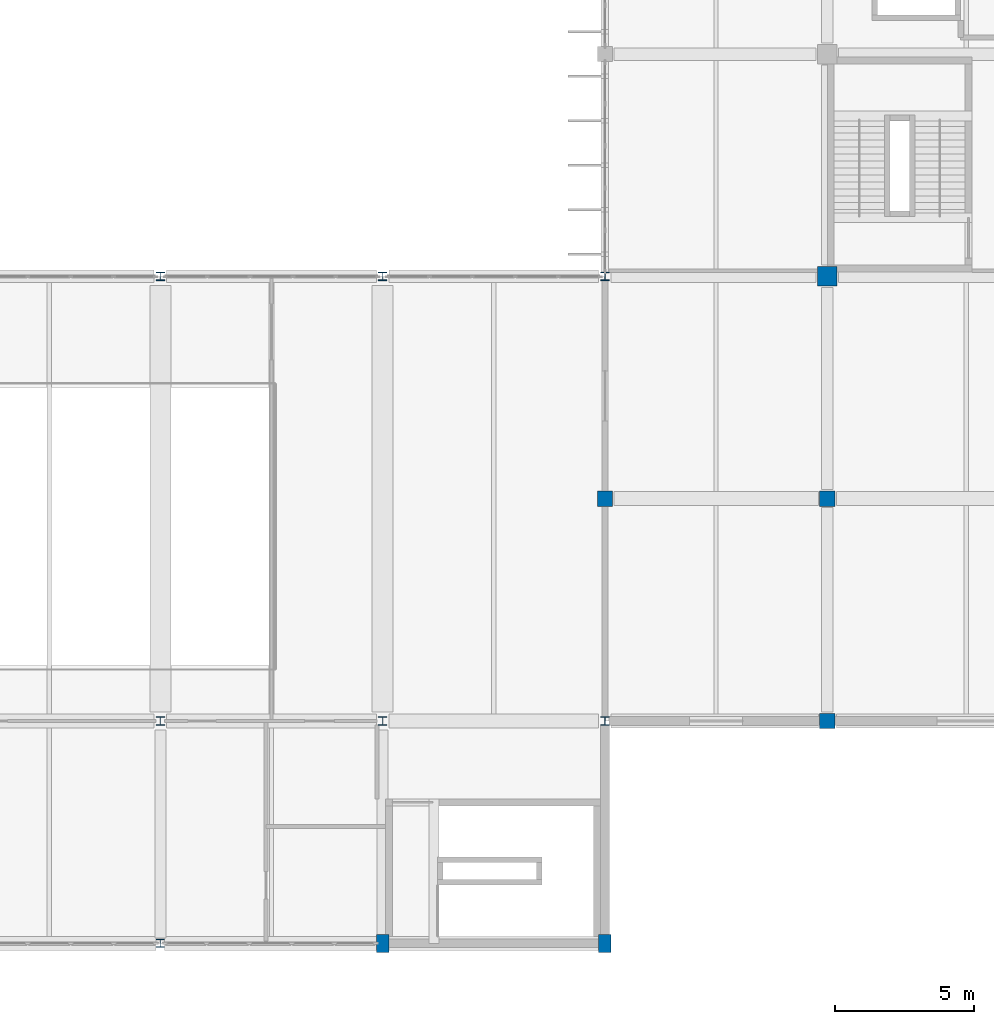
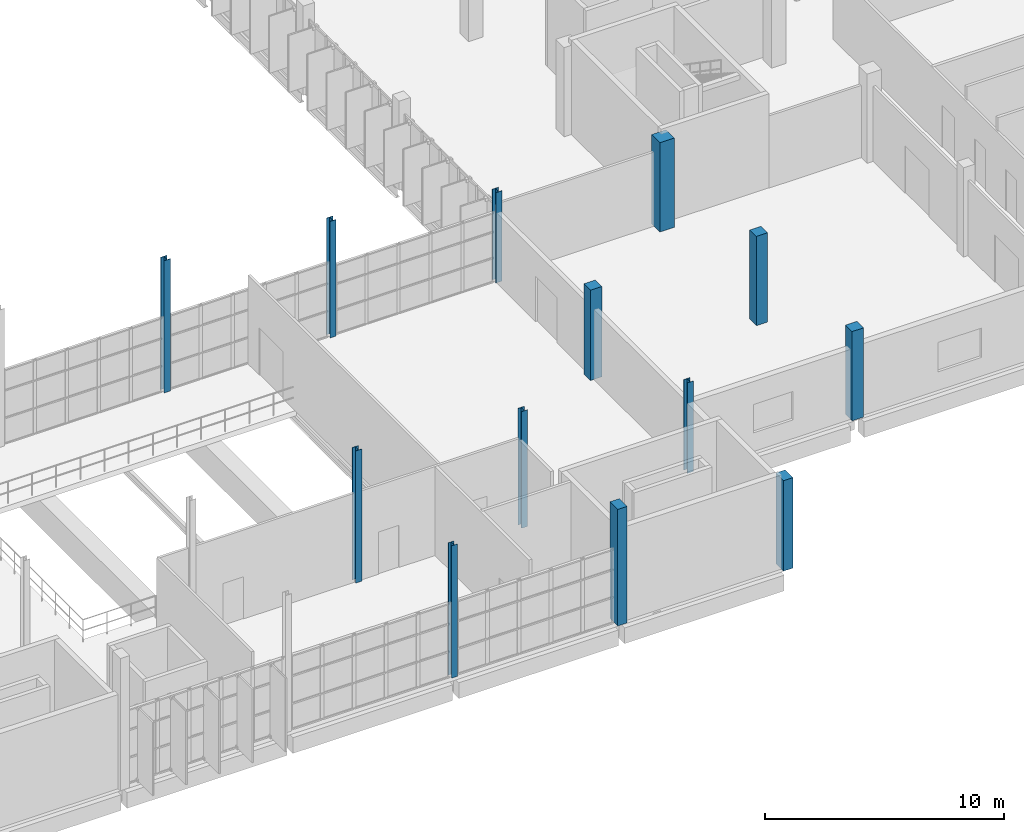
# One storey, part 9 of 93: 13 columns.
"""IFC4 building model written with IfcOpenShell, lengths in metres."""

from ifc_helpers import new_model, si_unit, direction, frame, origin, origin_2d, place, context, subcontext, project, spatial, rectangle, i_section, extrude, material, material_profile, profile_set, type_object, element, save


model = new_model("IFC4")

# Units and contexts
model_context = context("Model", 3, precision=1e-05, world=origin(), true_north=direction((0.0, 1.0)))
body_context = subcontext(model_context, "Body", "Model", "MODEL_VIEW")
ifc_project = project(units=[si_unit("LENGTHUNIT", "METRE"), si_unit("AREAUNIT", "SQUARE_METRE"), si_unit("VOLUMEUNIT", "CUBIC_METRE"), si_unit("PLANEANGLEUNIT", "RADIAN"), si_unit("MASSUNIT", "GRAM", prefix="KILO")], contexts=[model_context])

# Site, building, storey
site_placement = place(None, origin())
site = spatial("IfcSite", under=ifc_project, at=site_placement, CompositionType="ELEMENT")
building_placement = place(site_placement, origin())
building = spatial("IfcBuilding", under=site, at=building_placement, Name="Drelvana Railside Aquatics Centre", CompositionType="ELEMENT")
storey_placement = place(building_placement, frame((0.0, 0.0, 5.39990234375)))
storey = spatial("IfcBuildingStorey", under=building, at=storey_placement, Name="L01", CompositionType="ELEMENT", Elevation=5.39990234375)

# Columns
ifc_material_1 = material(Name="Concrete C40/50", Category="concrete")
ifc_material_profile_1 = material_profile(ifc_material_1, rectangle(XDim=0.449951171875, YDim=0.64990234375, at=origin_2d()), Name="RC 450x650")
ifc_profile_set_1 = profile_set([ifc_material_profile_1], Name="Concrete C40/50")
column_type_1 = type_object("IfcColumnType", Name="STR-COL-RC-450x650", PredefinedType="COLUMN", material=ifc_profile_set_1)
column_1_placement = place(storey_placement, frame((136.0, 0.0, 0.0), z_axis=(0.0, 0.0, 1.0), x_axis=(1.0, 0.0, 0.0)))
element("IfcColumn", 1, at=column_1_placement, inside=storey, type_object=column_type_1, Name="Column C-11 (L01)", PredefinedType="COLUMN", context=body_context, shape_type="SweptSolid", body=[
    extrude(rectangle(XDim=0.449951171875, YDim=0.64990234375, at=origin_2d()), origin(), (0.0, 0.0, 1.0), 5.943359375),
])
column_2_placement = place(storey_placement, frame((144.0, 0.0, 0.0), z_axis=(0.0, 0.0, 1.0), x_axis=(1.0, 0.0, 0.0)))
element("IfcColumn", 2, at=column_2_placement, inside=storey, type_object=column_type_1, Name="Column C-11 (L01)", PredefinedType="COLUMN", context=body_context, shape_type="SweptSolid", body=[
    extrude(rectangle(XDim=0.449951171875, YDim=0.64990234375, at=origin_2d()), origin(), (0.0, 0.0, 1.0), 4.610107421875),
])
ifc_material_profile_2 = material_profile(ifc_material_1, rectangle(XDim=0.550048828125, YDim=0.550048828125, at=origin_2d()), Name="RC 550x550")
ifc_profile_set_2 = profile_set([ifc_material_profile_2], Name="Concrete C40/50")
column_type_2 = type_object("IfcColumnType", Name="STR-COL-RC-550x550", PredefinedType="COLUMN", material=ifc_profile_set_2)
column_3_placement = place(storey_placement, frame((144.0, 16.0, 0.0), z_axis=(0.0, 0.0, 1.0), x_axis=(1.0, 0.0, 0.0)))
element("IfcColumn", 3, at=column_3_placement, inside=storey, type_object=column_type_2, Name="Column C-03 (L01)", PredefinedType="COLUMN", context=body_context, shape_type="SweptSolid", body=[
    extrude(rectangle(XDim=0.550048828125, YDim=0.550048828125, at=origin_2d()), origin(), (0.0, 0.0, 1.0), 4.610107421875),
])
for number, where, z_axis, x_axis, name in (
    (4, (152.0, 8.0, 0.0), (0.0, 0.0, 1.0), (1.0, 0.0, 0.0), "Column C-03 (L01)"),
    (5, (152.0, 16.0, 0.0), (0.0, 0.0, 1.0), (1.0, 0.0, 0.0), "Column C-03 (L01)"),
):
    element("IfcColumn", number, at=place(storey_placement, frame(where, z_axis=z_axis, x_axis=x_axis)), inside=storey, type_object=column_type_2, Name=name, PredefinedType="COLUMN", context=body_context, shape_type="SweptSolid", body=[
        extrude(rectangle(XDim=0.550048828125, YDim=0.550048828125, at=origin_2d()), origin(), (0.0, 0.0, 1.0), 4.550048828125),
    ])
ifc_material_profile_3 = material_profile(ifc_material_1, rectangle(XDim=0.699951171875, YDim=0.699951171875, at=origin_2d()), Name="RC 700x700")
ifc_profile_set_3 = profile_set([ifc_material_profile_3], Name="Concrete C40/50")
column_type_3 = type_object("IfcColumnType", Name="STR-COL-RC-700x700", PredefinedType="COLUMN", material=ifc_profile_set_3)
column_4_placement = place(storey_placement, frame((152.0, 24.0, 0.0), z_axis=(0.0, 0.0, 1.0), x_axis=(1.0, 0.0, 0.0)))
element("IfcColumn", 6, at=column_4_placement, inside=storey, type_object=column_type_3, Name="Column C-06 (L01)", PredefinedType="COLUMN", context=body_context, shape_type="SweptSolid", body=[
    extrude(rectangle(XDim=0.699951171875, YDim=0.699951171875, at=origin_2d()), origin(), (0.0, 0.0, 1.0), 4.550048828125),
])
ifc_material_2 = material(Name="Structural steel S355", Category="steel")
ifc_material_profile_4 = material_profile(ifc_material_2, i_section(OverallWidth=0.280029296875, OverallDepth=0.280029296875, WebThickness=0.010498046875, FlangeThickness=0.01806640625, at=origin_2d()), Name="HEB 280")
ifc_profile_set_4 = profile_set([ifc_material_profile_4], Name="Structural steel S355")
column_type_4 = type_object("IfcColumnType", Name="STR-SCOL-HEB-280", PredefinedType="COLUMN", material=ifc_profile_set_4)
column_5_placement = place(storey_placement, frame((128.0, 0.0, 0.0), z_axis=(0.0, 0.0, 1.0), x_axis=(1.0, 0.0, 0.0)))
element("IfcColumn", 7, at=column_5_placement, inside=storey, type_object=column_type_4, Name="Column SC-01 (L01)", PredefinedType="COLUMN", context=body_context, shape_type="SweptSolid", body=[
    extrude(i_section(OverallWidth=0.280029296875, OverallDepth=0.280029296875, WebThickness=0.010498046875, FlangeThickness=0.01806640625, at=origin_2d()), origin(), (0.0, 0.0, 1.0), 6.743408203125),
])
ifc_material_profile_5 = material_profile(ifc_material_2, i_section(OverallWidth=0.300048828125, OverallDepth=0.300048828125, WebThickness=0.010986328125, FlangeThickness=0.01904296875, at=origin_2d()), Name="HEB 300")
ifc_profile_set_5 = profile_set([ifc_material_profile_5], Name="Structural steel S355")
column_type_5 = type_object("IfcColumnType", Name="STR-SCOL-HEB-300", PredefinedType="COLUMN", material=ifc_profile_set_5)
for number, where, z_axis, x_axis, name in (
    (8, (128.0, 8.0, 0.0), (0.0, 0.0, 1.0), (1.0, 0.0, 0.0), "Column SC-02 (L01)"),
    (9, (128.0, 24.0, 0.0), (0.0, 0.0, 1.0), (1.0, 0.0, 0.0), "Column SC-02 (L01)"),
):
    element("IfcColumn", number, at=place(storey_placement, frame(where, z_axis=z_axis, x_axis=x_axis)), inside=storey, type_object=column_type_5, Name=name, PredefinedType="COLUMN", context=body_context, shape_type="SweptSolid", body=[
        extrude(i_section(OverallWidth=0.300048828125, OverallDepth=0.300048828125, WebThickness=0.010986328125, FlangeThickness=0.01904296875, at=origin_2d()), origin(), (0.0, 0.0, 1.0), 6.743408203125),
    ])
for number, where, z_axis, x_axis, name in (
    (10, (136.0, 8.0, 0.0), (0.0, 0.0, 1.0), (1.0, 0.0, 0.0), "Column SC-02 (L01)"),
    (11, (136.0, 24.0, 0.0), (0.0, 0.0, 1.0), (1.0, 0.0, 0.0), "Column SC-02 (L01)"),
):
    element("IfcColumn", number, at=place(storey_placement, frame(where, z_axis=z_axis, x_axis=x_axis)), inside=storey, type_object=column_type_5, Name=name, PredefinedType="COLUMN", context=body_context, shape_type="SweptSolid", body=[
        extrude(i_section(OverallWidth=0.300048828125, OverallDepth=0.300048828125, WebThickness=0.010986328125, FlangeThickness=0.01904296875, at=origin_2d()), origin(), (0.0, 0.0, 1.0), 5.943359375),
    ])
for number, where, z_axis, x_axis, name in (
    (12, (144.0, 8.0, 0.0), (0.0, 0.0, 1.0), (1.0, 0.0, 0.0), "Column SC-02 (L01)"),
    (13, (144.0, 24.0, 0.0), (0.0, 0.0, 1.0), (1.0, 0.0, 0.0), "Column SC-02 (L01)"),
):
    element("IfcColumn", number, at=place(storey_placement, frame(where, z_axis=z_axis, x_axis=x_axis)), inside=storey, type_object=column_type_5, Name=name, PredefinedType="COLUMN", context=body_context, shape_type="SweptSolid", body=[
        extrude(i_section(OverallWidth=0.300048828125, OverallDepth=0.300048828125, WebThickness=0.010986328125, FlangeThickness=0.01904296875, at=origin_2d()), origin(), (0.0, 0.0, 1.0), 4.610107421875),
    ])

save(model, "model.ifc")
